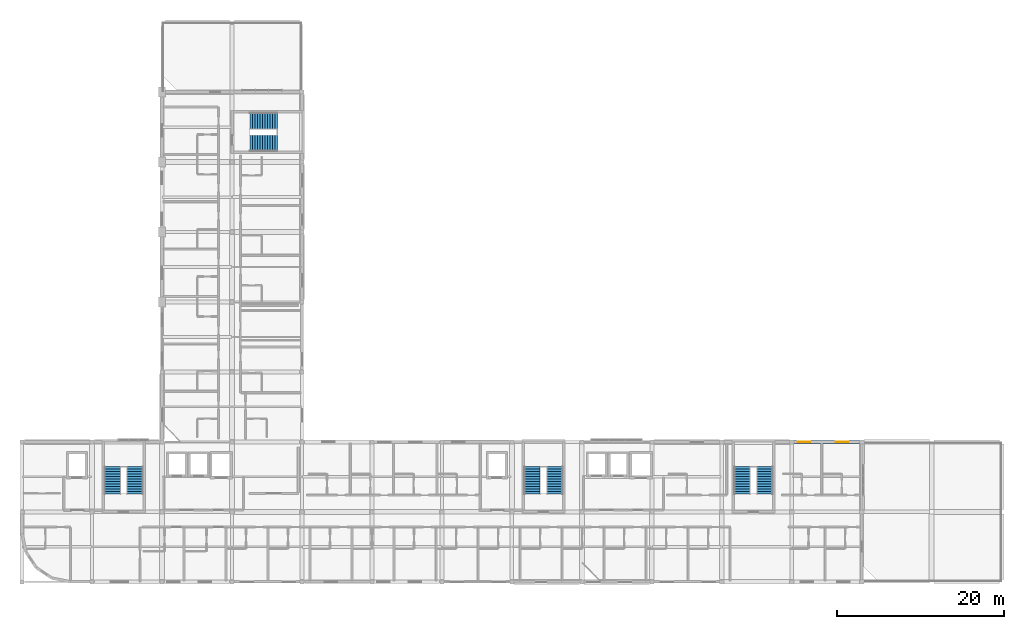
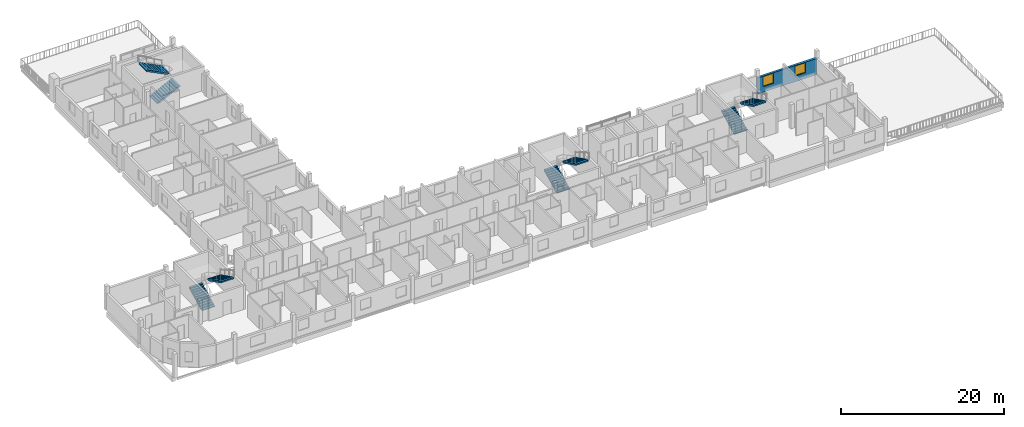
# One storey, part 17 of 20: 8 stair flights, 2 windows, 1 wall, 2 openings, 4 elements without a shape of their own.
"""IFC4 building model written with IfcOpenShell, lengths in metres."""

from ifc_helpers import new_model, si_unit, derived_unit, direction, frame, frame_2d, origin, place, context, subcontext, project, spatial, polyline, rectangle, outline, extrude, material, layer, layer_set, type_object, element, fill, aggregate, save


model = new_model("IFC4")

# Units and contexts
model_context = context("Model", 3, precision=1e-05, world=origin(), true_north=direction((0.0, 1.0)))
body_context = subcontext(model_context, "Body", "Model", "MODEL_VIEW")
ifc_project = project(units=[si_unit("LENGTHUNIT", "METRE"), si_unit("AREAUNIT", "SQUARE_METRE"), si_unit("VOLUMEUNIT", "CUBIC_METRE"), si_unit("PLANEANGLEUNIT", "RADIAN"), si_unit("MASSUNIT", "GRAM", prefix="KILO"), derived_unit("THERMALTRANSMITTANCEUNIT", [(si_unit("POWERUNIT", "WATT"), 1), (si_unit("LENGTHUNIT", "METRE"), -2), (si_unit("THERMODYNAMICTEMPERATUREUNIT", "KELVIN"), -1)])], contexts=[model_context])

# Site, building, storey
site_placement = place(None, origin())
site = spatial("IfcSite", under=ifc_project, at=site_placement, CompositionType="ELEMENT")
building_placement = place(site_placement, origin())
building = spatial("IfcBuilding", under=site, at=building_placement, Name="Barrovel Congress Hotel", CompositionType="ELEMENT")
storey_placement = place(building_placement, frame((0.0, 0.0, 39.89990234375)))
storey = spatial("IfcBuildingStorey", under=building, at=storey_placement, Name="L10", CompositionType="ELEMENT", Elevation=39.89990234375)

# Wall, openings, windows
ifc_material_1 = material(Name="Fired Clay Brick Masonry", Category="masonry")
ifc_layer = layer(ifc_material_1, 0.320068359375)
ifc_layer_set = layer_set([ifc_layer], Name="Fired Clay Brick Masonry")
wall_type = type_object("IfcWallType", Name="EW-BRK320", PredefinedType="STANDARD", material=ifc_layer_set)
wall_placement = place(storey_placement, frame((117.60009765625, 21.0, 0.0), z_axis=(0.0, 0.0, 1.0), x_axis=(-1.0, 0.0, 0.0)))
wall = element("IfcWall", 1, at=wall_placement, inside=storey, type_object=wall_type, Name="EW:L10:HS-NE-1", PredefinedType="STANDARD", context=body_context, shape_type="SweptSolid", body=[
    extrude(rectangle(XDim=8.400146484375, YDim=0.320068359375, at=frame_2d((4.2001953125, 0.0))), origin(), (0.0, 0.0, 1.0), 2.43017578125),
])
opening_1_placement = place(wall_placement, frame((6.199951171875, 0.0, 0.85009765625)))
opening_1 = element("IfcOpeningElement", 2, at=opening_1_placement, cuts=wall, Name="Opening WN-07", PredefinedType="OPENING", context=body_context, shape_type="SweptSolid", body=[
    extrude(rectangle(XDim=1.5, YDim=1.5, at=frame_2d((0.75, 0.75))), frame((0.0, 0.169921875, 0.0), z_axis=(0.0, -1.0, 0.0), x_axis=(1.0, 0.0, 0.0)), (0.0, 0.0, 1.0), 0.340087890625),
])
opening_2_placement = place(wall_placement, frame((1.64990234375, 0.0, 0.85009765625)))
opening_2 = element("IfcOpeningElement", 3, at=opening_2_placement, cuts=wall, Name="Opening WN-07", PredefinedType="OPENING", context=body_context, shape_type="SweptSolid", body=[
    extrude(rectangle(XDim=1.5, YDim=1.5, at=frame_2d((0.75, 0.75))), frame((0.0, 0.169921875, 0.0), z_axis=(0.0, -1.0, 0.0), x_axis=(1.0, 0.0, 0.0)), (0.0, 0.0, 1.0), 0.340087890625),
])
ifc_material_2 = material(Name="Double Low-E Insulated Glazing", Category="glass")
window_type = type_object("IfcWindowType", Name="WIN-WN-07", PartitioningType="SINGLE_PANEL", PredefinedType="WINDOW", material=ifc_material_2)
window_1_placement = place(opening_1_placement, origin())
window_1 = element("IfcWindow", 4, at=window_1_placement, inside=storey, type_object=window_type, Name="WIN:L10:U23", OverallHeight=1.5, OverallWidth=1.5, PartitioningType="SINGLE_PANEL", PredefinedType="WINDOW", context=body_context, shape_type="SweptSolid", body=[
    extrude(rectangle(XDim=1.5, YDim=1.5, at=frame_2d((0.75, 0.75))), frame((0.0, 0.030029296875, 0.0), z_axis=(0.0, -1.0, 0.0), x_axis=(1.0, 0.0, 0.0)), (0.0, 0.0, 1.0), 0.06005859375),
])
fill(opening_1, window_1)
window_2_placement = place(opening_2_placement, origin())
window_2 = element("IfcWindow", 5, at=window_2_placement, inside=storey, type_object=window_type, Name="WIN:L10:U24", OverallHeight=1.5, OverallWidth=1.5, PartitioningType="SINGLE_PANEL", PredefinedType="WINDOW", context=body_context, shape_type="SweptSolid", body=[
    extrude(rectangle(XDim=1.5, YDim=1.5, at=frame_2d((0.75, 0.75))), frame((0.0, 0.030029296875, 0.0), z_axis=(0.0, -1.0, 0.0), x_axis=(1.0, 0.0, 0.0)), (0.0, 0.0, 1.0), 0.06005859375),
])
fill(opening_2, window_2)

# Stair, stair flights
ifc_material_3 = material(Name="Concrete C40", Category="concrete")
stair_type_1 = type_object("IfcStairType", Name="STR-HT-360", PredefinedType="HALF_TURN_STAIR", material=ifc_material_3)
stair_1_placement = place(storey_placement, origin())
stair_1 = element("IfcStair", 6, at=stair_1_placement, inside=storey, type_object=stair_type_1, Name="Exit Stair XS-01 (L10)", PredefinedType="HALF_TURN_STAIR")
stair_flight_type_1 = type_object("IfcStairFlightType", Name="SFL-200x180", PredefinedType="STRAIGHT", material=ifc_material_3)
stair_flight_1_placement = place(storey_placement, frame((27.679931640625, 14.739990234375, 0.0), z_axis=(0.0, 0.0, 1.0), x_axis=(0.0, 1.0, 0.0)))
stair_flight_1 = element("IfcStairFlight", 7, at=stair_flight_1_placement, type_object=stair_flight_type_1, Name="STAIR:XS-01:L10:F1", NumberOfRisers=12, NumberOfTreads=11, PredefinedType="STRAIGHT", RiserHeight=0.15, TreadLength=0.3, context=body_context, shape_type="SweptSolid", body=[
    extrude(outline(polyline([(0.0, 0.0), (0.0, 0.14990234375), (0.300048828125, 0.14990234375), (0.300048828125, 0.300048828125), (0.60009765625, 0.300048828125), (0.60009765625, 0.449951171875), (0.89990234375, 0.449951171875), (0.89990234375, 0.60009765625), (1.199951171875, 0.60009765625), (1.199951171875, 0.75), (1.5, 0.75), (1.5, 0.89990234375), (1.800048828125, 0.89990234375), (1.800048828125, 1.050048828125), (2.10009765625, 1.050048828125), (2.10009765625, 1.199951171875), (2.39990234375, 1.199951171875), (2.39990234375, 1.35009765625), (2.699951171875, 1.35009765625), (2.699951171875, 1.5), (3.0, 1.5), (3.0, 1.64990234375), (3.300048828125, 1.64990234375), (3.300048828125, 1.800048828125), (3.300048828125, 1.44873046875), (0.40234375, 0.0), (0.0, 0.0)])), frame((0.0, 0.919921875, 0.0), z_axis=(0.0, -1.0, 0.0), x_axis=(1.0, 0.0, 0.0)), (0.0, 0.0, 1.0), 1.840087890625),
])
stair_flight_2_placement = place(storey_placement, frame((30.320068359375, 18.0400390625, 1.800048828125), z_axis=(0.0, 0.0, 1.0), x_axis=(0.0, -1.0, 0.0)))
stair_flight_2 = element("IfcStairFlight", 8, at=stair_flight_2_placement, type_object=stair_flight_type_1, Name="STAIR:XS-01:L10:F2", NumberOfRisers=12, NumberOfTreads=11, PredefinedType="STRAIGHT", RiserHeight=0.15, TreadLength=0.3, context=body_context, shape_type="SweptSolid", body=[
    extrude(outline(polyline([(0.0, 0.0), (0.0, 0.14990234375), (0.300048828125, 0.14990234375), (0.300048828125, 0.300048828125), (0.60009765625, 0.300048828125), (0.60009765625, 0.449951171875), (0.89990234375, 0.449951171875), (0.89990234375, 0.60009765625), (1.199951171875, 0.60009765625), (1.199951171875, 0.75), (1.5, 0.75), (1.5, 0.89990234375), (1.800048828125, 0.89990234375), (1.800048828125, 1.050048828125), (2.10009765625, 1.050048828125), (2.10009765625, 1.199951171875), (2.39990234375, 1.199951171875), (2.39990234375, 1.35009765625), (2.699951171875, 1.35009765625), (2.699951171875, 1.5), (3.0, 1.5), (3.0, 1.64990234375), (3.300048828125, 1.64990234375), (3.300048828125, 1.800048828125), (3.300048828125, 1.44873046875), (0.40234375, 0.0), (0.0, 0.0)])), frame((0.0, 0.919921875, 0.0), z_axis=(0.0, -1.0, 0.0), x_axis=(1.0, 0.0, 0.0)), (0.0, 0.0, 1.0), 1.840087890625),
])
aggregate(stair_1, [stair_flight_1, stair_flight_2])

stair_2_placement = place(storey_placement, origin())
stair_2 = element("IfcStair", 9, at=stair_2_placement, inside=storey, type_object=stair_type_1, Name="Exit Stair XS-02 (L10)", PredefinedType="HALF_TURN_STAIR")
stair_flight_3_placement = place(storey_placement, frame((78.080078125, 14.739990234375, 0.0), z_axis=(0.0, 0.0, 1.0), x_axis=(0.0, 1.0, 0.0)))
stair_flight_3 = element("IfcStairFlight", 10, at=stair_flight_3_placement, type_object=stair_flight_type_1, Name="STAIR:XS-02:L10:F1", NumberOfRisers=12, NumberOfTreads=11, PredefinedType="STRAIGHT", RiserHeight=0.15, TreadLength=0.3, context=body_context, shape_type="SweptSolid", body=[
    extrude(outline(polyline([(0.0, 0.0), (0.0, 0.14990234375), (0.300048828125, 0.14990234375), (0.300048828125, 0.300048828125), (0.60009765625, 0.300048828125), (0.60009765625, 0.449951171875), (0.89990234375, 0.449951171875), (0.89990234375, 0.60009765625), (1.199951171875, 0.60009765625), (1.199951171875, 0.75), (1.5, 0.75), (1.5, 0.89990234375), (1.800048828125, 0.89990234375), (1.800048828125, 1.050048828125), (2.10009765625, 1.050048828125), (2.10009765625, 1.199951171875), (2.39990234375, 1.199951171875), (2.39990234375, 1.35009765625), (2.699951171875, 1.35009765625), (2.699951171875, 1.5), (3.0, 1.5), (3.0, 1.64990234375), (3.300048828125, 1.64990234375), (3.300048828125, 1.800048828125), (3.300048828125, 1.44873046875), (0.40234375, 0.0), (0.0, 0.0)])), frame((0.0, 0.919921875, 0.0), z_axis=(0.0, -1.0, 0.0), x_axis=(1.0, 0.0, 0.0)), (0.0, 0.0, 1.0), 1.840087890625),
])
stair_flight_4_placement = place(storey_placement, frame((80.719970703125, 18.0400390625, 1.800048828125), z_axis=(0.0, 0.0, 1.0), x_axis=(0.0, -1.0, 0.0)))
stair_flight_4 = element("IfcStairFlight", 11, at=stair_flight_4_placement, type_object=stair_flight_type_1, Name="STAIR:XS-02:L10:F2", NumberOfRisers=12, NumberOfTreads=11, PredefinedType="STRAIGHT", RiserHeight=0.15, TreadLength=0.3, context=body_context, shape_type="SweptSolid", body=[
    extrude(outline(polyline([(0.0, 0.0), (0.0, 0.14990234375), (0.300048828125, 0.14990234375), (0.300048828125, 0.300048828125), (0.60009765625, 0.300048828125), (0.60009765625, 0.449951171875), (0.89990234375, 0.449951171875), (0.89990234375, 0.60009765625), (1.199951171875, 0.60009765625), (1.199951171875, 0.75), (1.5, 0.75), (1.5, 0.89990234375), (1.800048828125, 0.89990234375), (1.800048828125, 1.050048828125), (2.10009765625, 1.050048828125), (2.10009765625, 1.199951171875), (2.39990234375, 1.199951171875), (2.39990234375, 1.35009765625), (2.699951171875, 1.35009765625), (2.699951171875, 1.5), (3.0, 1.5), (3.0, 1.64990234375), (3.300048828125, 1.64990234375), (3.300048828125, 1.800048828125), (3.300048828125, 1.44873046875), (0.40234375, 0.0), (0.0, 0.0)])), frame((0.0, 0.919921875, 0.0), z_axis=(0.0, -1.0, 0.0), x_axis=(1.0, 0.0, 0.0)), (0.0, 0.0, 1.0), 1.840087890625),
])
aggregate(stair_2, [stair_flight_3, stair_flight_4])

stair_3_placement = place(storey_placement, origin())
stair_3 = element("IfcStair", 12, at=stair_3_placement, inside=storey, type_object=stair_type_1, Name="Exit Stair XS-03 (L10)", PredefinedType="HALF_TURN_STAIR")
stair_flight_5_placement = place(storey_placement, frame((103.280029296875, 14.739990234375, 0.0), z_axis=(0.0, 0.0, 1.0), x_axis=(0.0, 1.0, 0.0)))
stair_flight_5 = element("IfcStairFlight", 13, at=stair_flight_5_placement, type_object=stair_flight_type_1, Name="STAIR:XS-03:L10:F1", NumberOfRisers=12, NumberOfTreads=11, PredefinedType="STRAIGHT", RiserHeight=0.15, TreadLength=0.3, context=body_context, shape_type="SweptSolid", body=[
    extrude(outline(polyline([(0.0, 0.0), (0.0, 0.14990234375), (0.300048828125, 0.14990234375), (0.300048828125, 0.300048828125), (0.60009765625, 0.300048828125), (0.60009765625, 0.449951171875), (0.89990234375, 0.449951171875), (0.89990234375, 0.60009765625), (1.199951171875, 0.60009765625), (1.199951171875, 0.75), (1.5, 0.75), (1.5, 0.89990234375), (1.800048828125, 0.89990234375), (1.800048828125, 1.050048828125), (2.10009765625, 1.050048828125), (2.10009765625, 1.199951171875), (2.39990234375, 1.199951171875), (2.39990234375, 1.35009765625), (2.699951171875, 1.35009765625), (2.699951171875, 1.5), (3.0, 1.5), (3.0, 1.64990234375), (3.300048828125, 1.64990234375), (3.300048828125, 1.800048828125), (3.300048828125, 1.44873046875), (0.40234375, 0.0), (0.0, 0.0)])), frame((0.0, 0.919921875, 0.0), z_axis=(0.0, -1.0, 0.0), x_axis=(1.0, 0.0, 0.0)), (0.0, 0.0, 1.0), 1.840087890625),
])
stair_flight_6_placement = place(storey_placement, frame((105.919921875, 18.0400390625, 1.800048828125), z_axis=(0.0, 0.0, 1.0), x_axis=(0.0, -1.0, 0.0)))
stair_flight_6 = element("IfcStairFlight", 14, at=stair_flight_6_placement, type_object=stair_flight_type_1, Name="STAIR:XS-03:L10:F2", NumberOfRisers=12, NumberOfTreads=11, PredefinedType="STRAIGHT", RiserHeight=0.15, TreadLength=0.3, context=body_context, shape_type="SweptSolid", body=[
    extrude(outline(polyline([(0.0, 0.0), (0.0, 0.14990234375), (0.300048828125, 0.14990234375), (0.300048828125, 0.300048828125), (0.60009765625, 0.300048828125), (0.60009765625, 0.449951171875), (0.89990234375, 0.449951171875), (0.89990234375, 0.60009765625), (1.199951171875, 0.60009765625), (1.199951171875, 0.75), (1.5, 0.75), (1.5, 0.89990234375), (1.800048828125, 0.89990234375), (1.800048828125, 1.050048828125), (2.10009765625, 1.050048828125), (2.10009765625, 1.199951171875), (2.39990234375, 1.199951171875), (2.39990234375, 1.35009765625), (2.699951171875, 1.35009765625), (2.699951171875, 1.5), (3.0, 1.5), (3.0, 1.64990234375), (3.300048828125, 1.64990234375), (3.300048828125, 1.800048828125), (3.300048828125, 1.44873046875), (0.40234375, 0.0), (0.0, 0.0)])), frame((0.0, 0.919921875, 0.0), z_axis=(0.0, -1.0, 0.0), x_axis=(1.0, 0.0, 0.0)), (0.0, 0.0, 1.0), 1.840087890625),
])
aggregate(stair_3, [stair_flight_5, stair_flight_6])

stair_type_2 = type_object("IfcStairType", Name="STR-DR-360", PredefinedType="DOUBLE_RETURN_STAIR", material=ifc_material_3)
stair_4_placement = place(storey_placement, origin())
stair_4 = element("IfcStair", 15, at=stair_4_placement, inside=storey, type_object=stair_type_2, Name="Exit Stair XS-05 (L10)", PredefinedType="DOUBLE_RETURN_STAIR")
stair_flight_type_2 = type_object("IfcStairFlightType", Name="SFL-205x180", PredefinedType="STRAIGHT", material=ifc_material_3)
stair_flight_7_placement = place(storey_placement, frame((44.139892578125, 56.889892578125, 0.0), z_axis=(0.0, 0.0, 1.0), x_axis=(1.0, 0.0, 0.0)))
stair_flight_7 = element("IfcStairFlight", 16, at=stair_flight_7_placement, type_object=stair_flight_type_2, Name="STAIR:XS-05:L10:F1", NumberOfRisers=12, NumberOfTreads=11, PredefinedType="STRAIGHT", RiserHeight=0.15, TreadLength=0.3, context=body_context, shape_type="SweptSolid", body=[
    extrude(outline(polyline([(0.0, 0.0), (0.0, 0.14990234375), (0.300048828125, 0.14990234375), (0.300048828125, 0.300048828125), (0.60009765625, 0.300048828125), (0.60009765625, 0.449951171875), (0.89990234375, 0.449951171875), (0.89990234375, 0.60009765625), (1.199951171875, 0.60009765625), (1.199951171875, 0.75), (1.5, 0.75), (1.5, 0.89990234375), (1.800048828125, 0.89990234375), (1.800048828125, 1.050048828125), (2.10009765625, 1.050048828125), (2.10009765625, 1.199951171875), (2.39990234375, 1.199951171875), (2.39990234375, 1.35009765625), (2.699951171875, 1.35009765625), (2.699951171875, 1.5), (3.0, 1.5), (3.0, 1.64990234375), (3.300048828125, 1.64990234375), (3.300048828125, 1.800048828125), (3.300048828125, 1.44873046875), (0.40234375, 0.0), (0.0, 0.0)])), frame((0.0, 0.93017578125, 0.0), z_axis=(0.0, -1.0, 0.0), x_axis=(1.0, 0.0, 0.0)), (0.0, 0.0, 1.0), 1.860107421875),
])
stair_flight_8_placement = place(storey_placement, frame((47.43994140625, 59.510009765625, 1.800048828125), z_axis=(0.0, 0.0, 1.0), x_axis=(-1.0, 0.0, 0.0)))
stair_flight_8 = element("IfcStairFlight", 17, at=stair_flight_8_placement, type_object=stair_flight_type_2, Name="STAIR:XS-05:L10:F2", NumberOfRisers=12, NumberOfTreads=11, PredefinedType="STRAIGHT", RiserHeight=0.15, TreadLength=0.3, context=body_context, shape_type="SweptSolid", body=[
    extrude(outline(polyline([(0.0, 0.0), (0.0, 0.14990234375), (0.300048828125, 0.14990234375), (0.300048828125, 0.300048828125), (0.60009765625, 0.300048828125), (0.60009765625, 0.449951171875), (0.89990234375, 0.449951171875), (0.89990234375, 0.60009765625), (1.199951171875, 0.60009765625), (1.199951171875, 0.75), (1.5, 0.75), (1.5, 0.89990234375), (1.800048828125, 0.89990234375), (1.800048828125, 1.050048828125), (2.10009765625, 1.050048828125), (2.10009765625, 1.199951171875), (2.39990234375, 1.199951171875), (2.39990234375, 1.35009765625), (2.699951171875, 1.35009765625), (2.699951171875, 1.5), (3.0, 1.5), (3.0, 1.64990234375), (3.300048828125, 1.64990234375), (3.300048828125, 1.800048828125), (3.300048828125, 1.44873046875), (0.40234375, 0.0), (0.0, 0.0)])), frame((0.0, 0.93017578125, 0.0), z_axis=(0.0, -1.0, 0.0), x_axis=(1.0, 0.0, 0.0)), (0.0, 0.0, 1.0), 1.860107421875),
])
aggregate(stair_4, [stair_flight_7, stair_flight_8])

save(model, "model.ifc")
